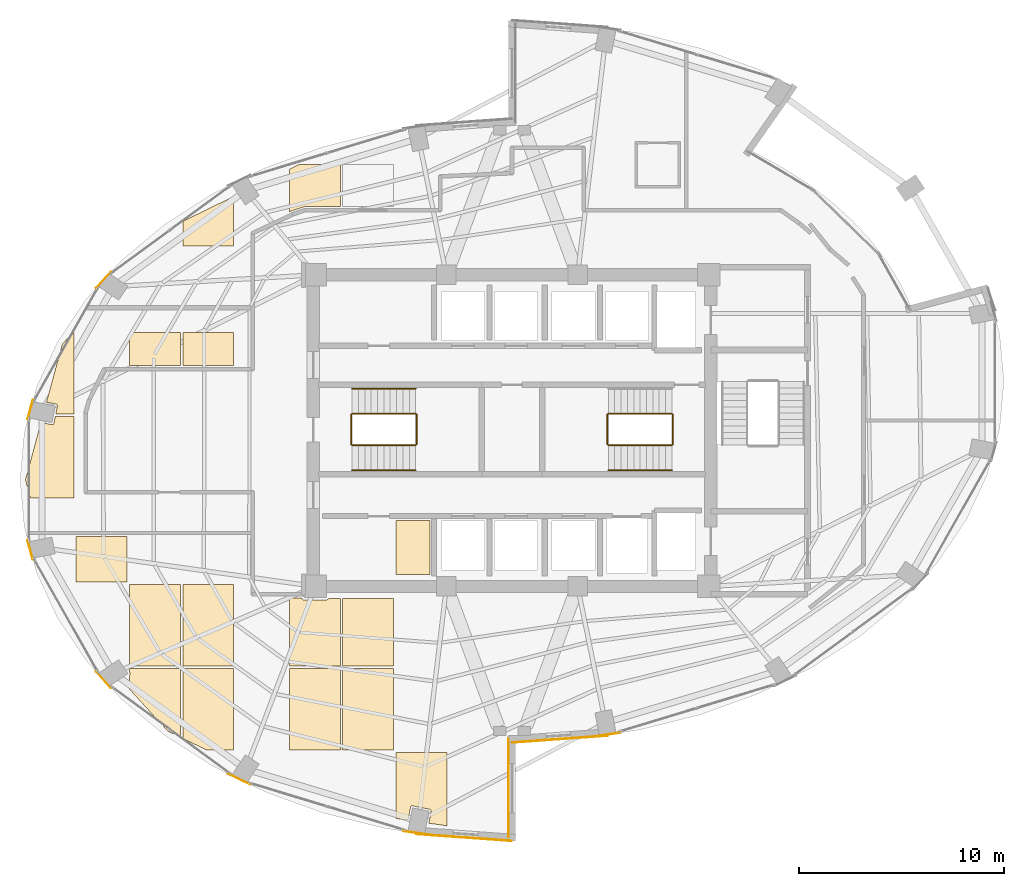
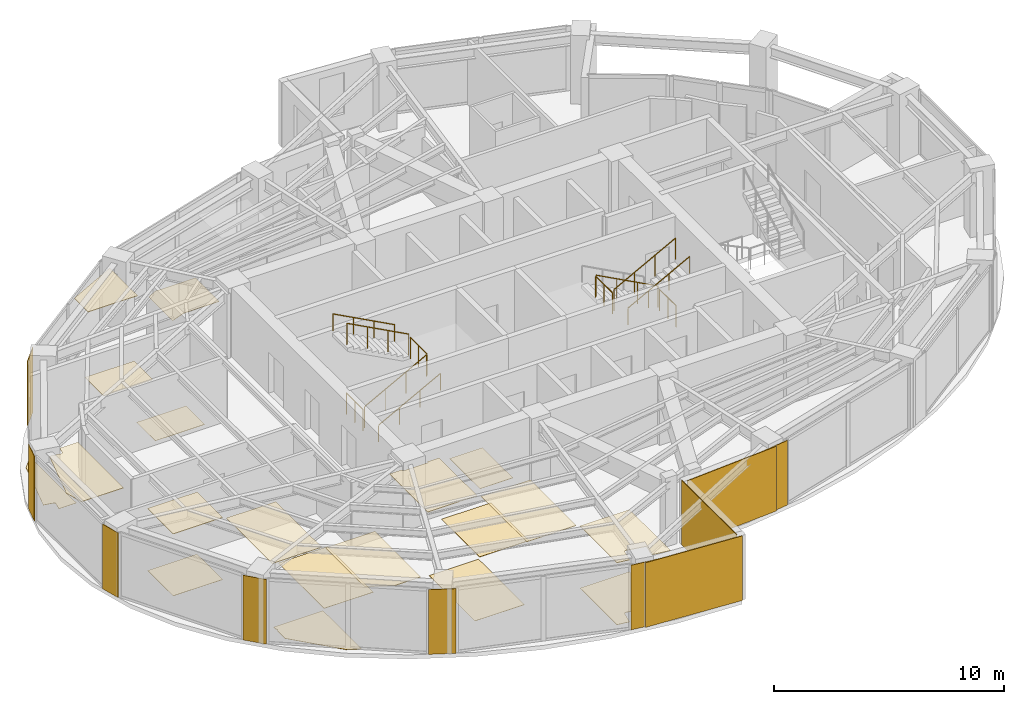
# One storey, part 18 of 19: 29 coverings, 11 railings.
"""IFC4 building model written with IfcOpenShell, lengths in metres."""

import ifcopenshell
import ifcopenshell.guid

model = None  # the IFC model being written
_history = None  # IfcOwnerHistory: only IFC2X3 demands one
_inside = {}  # id of a spatial element -> (the spatial element, [elements in it])
_under = {}  # id of a project, library or spatial element -> (it, [spatial elements below it])
_declared = {}  # id of a project -> (the project, [libraries it declares])
_typed = {}  # id of a type object -> (the type object, [elements of that type])
_made_of = {}  # id of a material, layer set ... -> (it, [elements and type objects made of it])


def new_model(schema):
    """Start an empty IFC model of exactly this schema.

    Asked for "IFC4X3", IfcOpenShell would pick the latest addendum, in which some entities
    have other attributes; the version numbers below select the first issue.
    IFC2X3 requires an IfcOwnerHistory on every rooted entity: one is made here for all.
    """
    global model, _history
    if schema == "IFC4X3":
        model = ifcopenshell.file(schema_version=(4, 3, 0, 0))
    else:
        model = ifcopenshell.file(schema=schema)
    _inside.clear()
    _under.clear()
    _declared.clear()
    _typed.clear()
    _made_of.clear()
    _history = None
    if model.schema == "IFC2X3":
        org = make("IfcOrganization", Name="unknown")
        user = make(
            "IfcPersonAndOrganization",
            ThePerson=make("IfcPerson", FamilyName="unknown"),
            TheOrganization=org,
        )
        app = make(
            "IfcApplication",
            ApplicationDeveloper=org,
            Version="unknown",
            ApplicationFullName="unknown",
            ApplicationIdentifier="unknown",
        )
        _history = make(
            "IfcOwnerHistory",
            OwningUser=user,
            OwningApplication=app,
            ChangeAction="ADDED",
            CreationDate=0,
        )
    return model


def make(cls, **values):
    """One entity of the class cls with the attributes given. An attribute that is None is left unset."""
    return model.create_entity(
        cls, **{name: value for name, value in values.items() if value is not None}
    )


def rooted(cls, **values):
    """An entity with a GlobalId (a new one), such as an element, a storey or a relation."""
    return make(cls, GlobalId=ifcopenshell.guid.new(), OwnerHistory=_history, **values)


def si_unit(unit_type, name, prefix=None):
    """IfcSIUnit, for example si_unit("LENGTHUNIT", "METRE", prefix="MILLI")."""
    return make("IfcSIUnit", UnitType=unit_type, Prefix=prefix, Name=name)


def assignment(units):
    """IfcUnitAssignment: the units of a project."""
    return None if units is None else make("IfcUnitAssignment", Units=units)


def point(xyz):
    """IfcCartesianPoint."""
    return None if xyz is None else make("IfcCartesianPoint", Coordinates=xyz)


def direction(xyz):
    """IfcDirection."""
    return None if xyz is None else make("IfcDirection", DirectionRatios=xyz)


def frame(location, z_axis=None, x_axis=None):
    """IfcAxis2Placement3D, a coordinate frame: its origin and axes. An axis left out is left unset."""
    return make(
        "IfcAxis2Placement3D",
        Location=point(location),
        Axis=direction(z_axis),
        RefDirection=direction(x_axis),
    )


def frame_2d(location, x_axis=None):
    """IfcAxis2Placement2D, a coordinate frame in the plane: its origin and x axis."""
    return make(
        "IfcAxis2Placement2D", Location=point(location), RefDirection=direction(x_axis)
    )


def origin():
    """The frame at (0, 0, 0) with its axes left unset."""
    return frame((0.0, 0.0, 0.0))


def origin_2d():
    """The frame at (0, 0) in the plane with its x axis left unset."""
    return frame_2d((0.0, 0.0))


def place(relative_to, where):
    """IfcLocalPlacement: puts the frame where relative to a parent placement (None: the world)."""
    return make(
        "IfcLocalPlacement", PlacementRelTo=relative_to, RelativePlacement=where
    )


def context(
    kind, dimensions, precision=None, world=None, true_north=None, identifier=None
):
    """IfcGeometricRepresentationContext, for example the 3D "Model" context."""
    return make(
        "IfcGeometricRepresentationContext",
        ContextIdentifier=identifier,
        ContextType=kind,
        CoordinateSpaceDimension=dimensions,
        Precision=precision,
        WorldCoordinateSystem=world,
        TrueNorth=true_north,
    )


def subcontext(parent, identifier, kind, view, scale=None):
    """IfcGeometricRepresentationSubContext, for example "Body" below "Model"."""
    return make(
        "IfcGeometricRepresentationSubContext",
        ContextIdentifier=identifier,
        ContextType=kind,
        ParentContext=parent,
        TargetScale=scale,
        TargetView=view,
    )


def project(units=None, contexts=None):
    """IfcProject with its units and contexts."""
    return rooted(
        "IfcProject",
        Name="project",
        RepresentationContexts=contexts,
        UnitsInContext=assignment(units),
    )


def spatial(cls, under=None, at=None, **own):
    """A site, building, storey or space (cls), placed at a placement, below another one or the project."""
    s = rooted(cls, ObjectPlacement=at, **own)
    if under is not None:
        _under.setdefault(under.id(), (under, []))[1].append(s)
    return s


def polyline(points):
    """IfcPolyline through the points."""
    return make("IfcPolyline", Points=[point(p) for p in points])


def profile(cls, at=None, kind="AREA", **sizes):
    """A parametric profile (cls). Its sizes go by their IFC names, for example OverallWidth=200.0."""
    return make(cls, ProfileType=kind, Position=at, **sizes)


def rectangle(**sizes):
    """IfcRectangleProfileDef."""
    return profile("IfcRectangleProfileDef", **sizes)


def circle(**sizes):
    """IfcCircleProfileDef."""
    return profile("IfcCircleProfileDef", **sizes)


def outline(outer, holes=None, kind="AREA"):
    """IfcArbitraryClosedProfileDef: a profile drawn as a closed curve; with holes, ...WithVoids."""
    if holes is None:
        return make("IfcArbitraryClosedProfileDef", ProfileType=kind, OuterCurve=outer)
    return make(
        "IfcArbitraryProfileDefWithVoids",
        ProfileType=kind,
        OuterCurve=outer,
        InnerCurves=holes,
    )


def extrude(swept, where, along, depth):
    """IfcExtrudedAreaSolid: the profile swept, set in the frame where, extruded along a direction by depth."""
    return make(
        "IfcExtrudedAreaSolid",
        SweptArea=swept,
        Position=where,
        ExtrudedDirection=direction(along),
        Depth=depth,
    )


def shape(context_of_items, identifier, shape_type, items):
    """IfcShapeRepresentation: the items that make up one representation, for example the "Body"."""
    return make(
        "IfcShapeRepresentation",
        ContextOfItems=context_of_items,
        RepresentationIdentifier=identifier,
        RepresentationType=shape_type,
        Items=items,
    )


def material(Name=None, Category=None):
    """IfcMaterial."""
    return make("IfcMaterial", Name=Name, Category=Category)


def layer(
    of_material, thickness, ventilated=None, Name=None, Category=None, Priority=None
):
    """IfcMaterialLayer: one layer of a wall or slab, of a material (None: an air gap)."""
    return make(
        "IfcMaterialLayer",
        Material=of_material,
        LayerThickness=thickness,
        IsVentilated=ventilated,
        Name=Name,
        Category=Category,
        Priority=Priority,
    )


def layer_set(layers, Name=None):
    """IfcMaterialLayerSet."""
    return make("IfcMaterialLayerSet", MaterialLayers=layers, LayerSetName=Name)


def made_of(thing, what):
    """Note that an element or type object is made of a material, layer set ...; save() writes the relation."""
    if what is not None:
        _made_of.setdefault(what.id(), (what, []))[1].append(thing)
    return thing


def type_object(cls, material=None, **own):
    """A type object (cls), such as IfcWallType, which elements share."""
    return made_of(rooted(cls, **own), material)


def element(
    cls,
    number,
    at=None,
    inside=None,
    cuts=None,
    type_object=None,
    material=None,
    context=None,
    identifier="Body",
    shape_type=None,
    held_by="IfcProductDefinitionShape",
    body=None,
    shapes=None,
    **own,
):
    """One element of the class cls, such as IfcWall. Its Tag is "e" and its number.

    at: its placement. inside: the storey or other place that contains it. cuts: it is an
    opening in that element (IfcRelVoidsElement). A single representation is given by context,
    identifier, shape_type and body (its items); several are given by shapes. held_by: the class
    of the entity that holds the representations. save() writes the other relations.
    """
    e = rooted(cls, Tag="e%d" % number, ObjectPlacement=at, **own)
    if body is not None:
        shapes = [shape(context, identifier, shape_type, body)]
    if shapes is not None:
        e.Representation = make(held_by, Representations=shapes)
    if inside is not None:
        _inside.setdefault(inside.id(), (inside, []))[1].append(e)
    if cuts is not None:
        rooted(
            "IfcRelVoidsElement", RelatingBuildingElement=cuts, RelatedOpeningElement=e
        )
    if type_object is not None:
        _typed.setdefault(type_object.id(), (type_object, []))[1].append(e)
    return made_of(e, material)


def aggregate(whole, parts):
    """IfcRelAggregates: a whole, such as a stair, and the parts it consists of."""
    return rooted("IfcRelAggregates", RelatingObject=whole, RelatedObjects=parts)


def save(model, path):
    """Write the relations noted so far, then the file.

    IfcRelAggregates (storeys below a building ...), IfcRelContainedInSpatialStructure (elements
    in a storey), IfcRelDefinesByType, IfcRelAssociatesMaterial and IfcRelDeclares: one each for
    every whole, place, type object, material and project.
    """
    for whole, parts in _under.values():
        aggregate(whole, parts)
    for where, things in _inside.values():
        rooted(
            "IfcRelContainedInSpatialStructure",
            RelatedElements=things,
            RelatingStructure=where,
        )
    for kind, things in _typed.values():
        rooted("IfcRelDefinesByType", RelatedObjects=things, RelatingType=kind)
    for what, things in _made_of.values():
        rooted("IfcRelAssociatesMaterial", RelatedObjects=things, RelatingMaterial=what)
    for by, libraries in _declared.values():
        rooted("IfcRelDeclares", RelatingContext=by, RelatedDefinitions=libraries)
    model.write(path)


model = new_model("IFC4")

# Units and contexts
model_context = context("Model", 3, precision=1e-05, world=origin(), true_north=direction((0.0, 1.0)))
body_context = subcontext(model_context, "Body", "Model", "MODEL_VIEW")
ifc_project = project(units=[si_unit("LENGTHUNIT", "METRE"), si_unit("AREAUNIT", "SQUARE_METRE"), si_unit("VOLUMEUNIT", "CUBIC_METRE"), si_unit("PLANEANGLEUNIT", "RADIAN"), si_unit("MASSUNIT", "GRAM", prefix="KILO")], contexts=[model_context])

# Site, building, storey
site_placement = place(None, origin())
site = spatial("IfcSite", under=ifc_project, at=site_placement, CompositionType="ELEMENT")
building_placement = place(site_placement, origin())
building = spatial("IfcBuilding", under=site, at=building_placement, Name="Lazwardi Medical Tower", CompositionType="ELEMENT")
storey_placement = place(building_placement, frame((0.0, 0.0, 167.471923828125)))
storey = spatial("IfcBuildingStorey", under=building, at=storey_placement, Name="L43", CompositionType="ELEMENT", Elevation=167.471923828125)

# Coverings
ifc_material_1 = material(Name="Anodised bronze aluminium cassette cladding", Category="aluminium")
ifc_layer_1 = layer(ifc_material_1, 0.030029296875)
ifc_layer_set_1 = layer_set([ifc_layer_1], Name="Anodised bronze aluminium cassette cladding")
covering_type_1 = type_object("IfcCoveringType", Name="COV-CLD-BRZ", PredefinedType="CLADDING", material=ifc_layer_set_1)
covering_1_placement = place(storey_placement, frame((40.67431640625, 13.17578125, 0.0), z_axis=(0.0, 0.0, 1.0), x_axis=(0.989539138138, 0.144264666823, 0.0)))
element("IfcCovering", 1, at=covering_1_placement, inside=storey, type_object=covering_type_1, Name="L43 Mega-column bronze cassette cover M01", PredefinedType="CLADDING", context=body_context, shape_type="SweptSolid", body=[
    extrude(rectangle(XDim=1.28515625, YDim=0.030029296875, at=origin_2d()), origin(), (0.0, 0.0, 1.0), 3.427978515625),
])
covering_2_placement = place(storey_placement, frame((16.07861328125, 35.356689453125, 0.0), z_axis=(0.0, 0.0, 1.0), x_axis=(-0.673714459537, -0.738991763832, 0.0)))
element("IfcCovering", 2, at=covering_2_placement, inside=storey, type_object=covering_type_1, Name="L43 Mega-column bronze cassette cover M11", PredefinedType="CLADDING", context=body_context, shape_type="SweptSolid", body=[
    extrude(rectangle(XDim=1.0693359375, YDim=0.030029296875, at=origin_2d()), origin(), (0.0, 0.0, 1.0), 3.427978515625),
])
for number, where, z_axis, x_axis, name in (
    (3, (12.501220703125, 29.026123046875, 0.0), (0.0, 0.0, 1.0), (-0.261828726257, -0.965114354938, 0.0), "L43 Mega-column bronze cassette cover M12"),
    (4, (12.501220703125, 22.173828125, 0.0), (0.0, 0.0, 1.0), (0.261828726257, -0.965114354938, 0.0), "L43 Mega-column bronze cassette cover M13"),
):
    element("IfcCovering", number, at=place(storey_placement, frame(where, z_axis=z_axis, x_axis=x_axis)), inside=storey, type_object=covering_type_1, Name=name, PredefinedType="CLADDING", context=body_context, shape_type="SweptSolid", body=[
        extrude(rectangle(XDim=0.9658203125, YDim=0.030029296875, at=origin_2d()), origin(), (0.0, 0.0, 1.0), 3.427978515625),
    ])
covering_3_placement = place(storey_placement, frame((16.07861328125, 15.84326171875, 0.0), z_axis=(0.0, 0.0, 1.0), x_axis=(0.673714459537, -0.738991763832, 0.0)))
element("IfcCovering", 5, at=covering_3_placement, inside=storey, type_object=covering_type_1, Name="L43 Mega-column bronze cassette cover M14", PredefinedType="CLADDING", context=body_context, shape_type="SweptSolid", body=[
    extrude(rectangle(XDim=1.0693359375, YDim=0.030029296875, at=origin_2d()), origin(), (0.0, 0.0, 1.0), 3.427978515625),
])
covering_4_placement = place(storey_placement, frame((22.68896484375, 10.998046875, 0.0), z_axis=(0.0, 0.0, 1.0), x_axis=(0.898079014814, -0.439834154144, 0.0)))
element("IfcCovering", 6, at=covering_4_placement, inside=storey, type_object=covering_type_1, Name="L43 Mega-column bronze cassette cover M15", PredefinedType="CLADDING", context=body_context, shape_type="SweptSolid", body=[
    extrude(rectangle(XDim=1.200439453125, YDim=0.030029296875, at=origin_2d()), origin(), (0.0, 0.0, 1.0), 3.427978515625),
])
covering_5_placement = place(storey_placement, frame((31.32568359375, 8.3759765625, 0.0), z_axis=(0.0, 0.0, 1.0), x_axis=(0.989539138138, -0.144264666823, 0.0)))
element("IfcCovering", 7, at=covering_5_placement, inside=storey, type_object=covering_type_1, Name="L43 Mega-column bronze cassette cover M16", PredefinedType="CLADDING", context=body_context, shape_type="SweptSolid", body=[
    extrude(rectangle(XDim=1.28515625, YDim=0.030029296875, at=origin_2d()), origin(), (0.0, 0.0, 1.0), 3.427978515625),
])
ifc_material_2 = material(Name="Turquoise glazed ceramic tilework cladding", Category="masonry")
ifc_layer_2 = layer(ifc_material_2, 0.034912109375)
ifc_layer_set_2 = layer_set([ifc_layer_2], Name="Turquoise glazed ceramic tilework cladding")
covering_type_2 = type_object("IfcCoveringType", Name="COV-CLD-TRQ", PredefinedType="CLADDING", material=ifc_layer_set_2)
covering_6_placement = place(storey_placement, frame((38.338134765625, 12.952392578125, 0.0), z_axis=(0.0, 0.0, 1.0), x_axis=(0.997414510753, 0.071863020663, 0.0)))
element("IfcCovering", 8, at=covering_6_placement, inside=storey, type_object=covering_type_2, Name="L43 Turquoise glazed ceramic tilework cladding", PredefinedType="CLADDING", context=body_context, shape_type="SweptSolid", body=[
    extrude(rectangle(XDim=4.6630859375, YDim=0.034912109375, at=origin_2d()), origin(), (0.0, 0.0, 1.0), 3.427978515625),
])
covering_7_placement = place(storey_placement, frame((33.66162109375, 8.152587890625, 0.0), z_axis=(0.0, 0.0, 1.0), x_axis=(0.997414134466, -0.071868243112, 0.0)))
element("IfcCovering", 9, at=covering_7_placement, inside=storey, type_object=covering_type_2, Name="L43 Turquoise glazed ceramic tilework cladding", PredefinedType="CLADDING", context=body_context, shape_type="SweptSolid", body=[
    extrude(rectangle(XDim=4.66259765625, YDim=0.034912109375, at=origin_2d()), origin(), (0.0, 0.0, 1.0), 3.427978515625),
])
covering_8_placement = place(storey_placement, frame((35.824462890625, 10.56005859375, 0.0), z_axis=(0.0, 0.0, 1.0), x_axis=(0.0, 1.0, 0.0)))
element("IfcCovering", 10, at=covering_8_placement, inside=storey, type_object=covering_type_2, Name="L43 Turquoise glazed ceramic tilework iwan panel", PredefinedType="CLADDING", context=body_context, shape_type="SweptSolid", body=[
    extrude(rectangle(XDim=4.800048828125, YDim=0.034912109375, at=origin_2d()), origin(), (0.0, 0.0, 1.0), 3.427978515625),
])
ifc_material_3 = material(Name="Acoustic mineral fibre tile")
ifc_layer_3 = layer(ifc_material_3, 0.02490234375)
ifc_layer_set_3 = layer_set([ifc_layer_3], Name="Acoustic mineral fibre tile")
covering_type_3 = type_object("IfcCoveringType", Name="COV-CLG-01", PredefinedType="CEILING", material=ifc_layer_set_3)
covering_9_placement = place(storey_placement, frame((0.0, 0.0, 3.282958984375)))
element("IfcCovering", 11, at=covering_9_placement, inside=storey, type_object=covering_type_3, Name="L43 Clinical Acoustic Ceiling 1", PredefinedType="CEILING", context=body_context, shape_type="SweptSolid", body=[
    extrude(outline(polyline([(13.71875, 28.6923828125), (13.65234375, 28.3583984375), (13.650390625, 28.3505859375), (13.647705078125, 28.34326171875), (13.644287109375, 28.336181640625), (13.640380859375, 28.32958984375), (13.635498046875, 28.322998046875), (13.63037109375, 28.3173828125), (13.62451171875, 28.31201171875), (13.6181640625, 28.307373046875), (13.611572265625, 28.30322265625), (13.6044921875, 28.300048828125), (13.596923828125, 28.29736328125), (13.58935546875, 28.29541015625), (13.58154296875, 28.294189453125), (13.57373046875, 28.2939453125), (13.56591796875, 28.294189453125), (13.55810546875, 28.29541015625), (13.02490234375, 28.401611328125), (12.262939453125, 25.60009765625), (12.50439453125, 24.71240234375), (14.622802734375, 24.71240234375), (14.622802734375, 28.6923828125), (13.71875, 28.6923828125)])), origin(), (0.0, 0.0, 1.0), 0.025146484375),
])
covering_10_placement = place(storey_placement, frame((0.0, 0.0, 3.282958984375)))
element("IfcCovering", 12, at=covering_10_placement, inside=storey, type_object=covering_type_3, Name="L43 Clinical Acoustic Ceiling 2", PredefinedType="CEILING", context=body_context, shape_type="SweptSolid", body=[
    extrude(outline(polyline([(17.222900390625, 22.8349609375), (14.742919921875, 22.8349609375), (14.742919921875, 20.612548828125), (17.222900390625, 20.612548828125), (17.222900390625, 22.8349609375)])), origin(), (0.0, 0.0, 1.0), 0.025146484375),
])
covering_11_placement = place(storey_placement, frame((0.0, 0.0, 3.282958984375)))
element("IfcCovering", 13, at=covering_11_placement, inside=storey, type_object=covering_type_3, Name="L43 Clinical Acoustic Ceiling 3", PredefinedType="CEILING", context=body_context, shape_type="SweptSolid", body=[
    extrude(outline(polyline([(19.822998046875, 16.512451171875), (19.822998046875, 20.492431640625), (17.343017578125, 20.492431640625), (17.343017578125, 16.512451171875), (19.822998046875, 16.512451171875)])), origin(), (0.0, 0.0, 1.0), 0.025146484375),
])
covering_12_placement = place(storey_placement, frame((0.0, 0.0, 3.282958984375)))
element("IfcCovering", 14, at=covering_12_placement, inside=storey, type_object=covering_type_3, Name="L43 Clinical Acoustic Ceiling 4", PredefinedType="CEILING", context=body_context, shape_type="SweptSolid", body=[
    extrude(outline(polyline([(17.343017578125, 31.175048828125), (19.822998046875, 31.175048828125), (19.822998046875, 32.79248046875), (17.343017578125, 32.79248046875), (17.343017578125, 31.175048828125)])), origin(), (0.0, 0.0, 1.0), 0.025146484375),
])
covering_13_placement = place(storey_placement, frame((0.0, 0.0, 3.282958984375)))
element("IfcCovering", 15, at=covering_13_placement, inside=storey, type_object=covering_type_3, Name="L43 Clinical Acoustic Ceiling 5", PredefinedType="CEILING", context=body_context, shape_type="SweptSolid", body=[
    extrude(outline(polyline([(19.94287109375, 12.987060546875), (21.118896484375, 12.41259765625), (22.4228515625, 12.41259765625), (22.4228515625, 16.392578125), (19.94287109375, 16.392578125), (19.94287109375, 12.987060546875)])), origin(), (0.0, 0.0, 1.0), 0.025146484375),
])
covering_14_placement = place(storey_placement, frame((0.0, 0.0, 3.282958984375)))
element("IfcCovering", 16, at=covering_14_placement, inside=storey, type_object=covering_type_3, Name="L43 Clinical Acoustic Ceiling 6", PredefinedType="CEILING", context=body_context, shape_type="SweptSolid", body=[
    extrude(outline(polyline([(22.4228515625, 39.4248046875), (19.94287109375, 38.212890625), (19.94287109375, 37.012451171875), (22.4228515625, 37.012451171875), (22.4228515625, 39.4248046875)])), origin(), (0.0, 0.0, 1.0), 0.025146484375),
])
covering_15_placement = place(storey_placement, frame((0.0, 0.0, 3.282958984375)))
element("IfcCovering", 17, at=covering_15_placement, inside=storey, type_object=covering_type_3, Name="L43 Clinical Acoustic Ceiling 7", PredefinedType="CEILING", context=body_context, shape_type="SweptSolid", body=[
    extrude(outline(polyline([(27.622802734375, 19.820068359375), (27.04931640625, 19.820068359375), (27.048583984375, 19.814453125), (27.046630859375, 19.806884765625), (27.0439453125, 19.79931640625), (27.04052734375, 19.792236328125), (27.03662109375, 19.78564453125), (27.03173828125, 19.779296875), (27.026611328125, 19.7734375), (27.020751953125, 19.768310546875), (27.014404296875, 19.763427734375), (27.0078125, 19.759521484375), (27.00048828125, 19.756103515625), (26.9931640625, 19.75341796875), (26.985595703125, 19.75146484375), (26.977783203125, 19.75048828125), (26.969970703125, 19.75), (25.830078125, 19.75), (25.822265625, 19.75048828125), (25.814453125, 19.75146484375), (25.806884765625, 19.75341796875), (25.79931640625, 19.756103515625), (25.792236328125, 19.759521484375), (25.78564453125, 19.763427734375), (25.779296875, 19.768310546875), (25.7734375, 19.7734375), (25.768310546875, 19.779296875), (25.763427734375, 19.78564453125), (25.759521484375, 19.792236328125), (25.756103515625, 19.79931640625), (25.75341796875, 19.806884765625), (25.75146484375, 19.814453125), (25.75048828125, 19.822265625), (25.75, 19.830078125), (25.75, 19.844970703125), (25.142822265625, 19.844970703125), (25.142822265625, 16.512451171875), (27.622802734375, 16.512451171875), (27.622802734375, 19.820068359375)])), origin(), (0.0, 0.0, 1.0), 0.025146484375),
])
covering_16_placement = place(storey_placement, frame((0.0, 0.0, 3.282958984375)))
element("IfcCovering", 18, at=covering_16_placement, inside=storey, type_object=covering_type_3, Name="L43 Clinical Acoustic Ceiling 8", PredefinedType="CEILING", context=body_context, shape_type="SweptSolid", body=[
    extrude(outline(polyline([(30.222900390625, 12.41259765625), (30.222900390625, 16.392578125), (27.742919921875, 16.392578125), (27.742919921875, 12.41259765625), (30.222900390625, 12.41259765625)])), origin(), (0.0, 0.0, 1.0), 0.025146484375),
])
covering_17_placement = place(storey_placement, frame((0.0, 0.0, 3.282958984375)))
element("IfcCovering", 19, at=covering_17_placement, inside=storey, type_object=covering_type_3, Name="L43 Clinical Acoustic Ceiling 10", PredefinedType="CEILING", context=body_context, shape_type="SweptSolid", body=[
    extrude(outline(polyline([(30.343017578125, 9.083740234375), (30.92919921875, 8.99853515625), (31.0556640625, 9.63427734375), (31.0576171875, 9.641845703125), (31.060302734375, 9.6494140625), (31.0634765625, 9.656494140625), (31.067626953125, 9.6630859375), (31.072265625, 9.66943359375), (31.077392578125, 9.67529296875), (31.083251953125, 9.680419921875), (31.089599609375, 9.685302734375), (31.096435546875, 9.689208984375), (31.103515625, 9.692626953125), (31.11083984375, 9.6953125), (31.118408203125, 9.697265625), (31.126220703125, 9.6982421875), (31.134033203125, 9.69873046875), (31.141845703125, 9.6982421875), (31.149658203125, 9.697265625), (31.9931640625, 9.529296875), (32.000732421875, 9.527587890625), (32.00830078125, 9.52490234375), (32.015380859375, 9.521484375), (32.02197265625, 9.517333984375), (32.0283203125, 9.5126953125), (32.0341796875, 9.507568359375), (32.039306640625, 9.501708984375), (32.044189453125, 9.495361328125), (32.048095703125, 9.488525390625), (32.051513671875, 9.4814453125), (32.05419921875, 9.47412109375), (32.05615234375, 9.466552734375), (32.05712890625, 9.458740234375), (32.0576171875, 9.450927734375), (32.05712890625, 9.443115234375), (32.05615234375, 9.435302734375), (31.93994140625, 8.851318359375), (32.822998046875, 8.722900390625), (32.822998046875, 12.29248046875), (30.343017578125, 12.29248046875), (30.343017578125, 9.083740234375)])), origin(), (0.0, 0.0, 1.0), 0.025146484375),
])
ifc_material_4 = material(Name="Anti-static hospital vinyl sheet flooring")
ifc_layer_4 = layer(ifc_material_4, 0.014892578125)
ifc_layer_set_4 = layer_set([ifc_layer_4], Name="Anti-static hospital vinyl sheet flooring")
covering_type_4 = type_object("IfcCoveringType", Name="COV-FLR-01", PredefinedType="FLOORING", material=ifc_layer_set_4)
covering_18_placement = place(storey_placement, origin())
element("IfcCovering", 20, at=covering_18_placement, inside=storey, type_object=covering_type_4, Name="L43 Clinical Vinyl Flooring 1", PredefinedType="FLOORING", context=body_context, shape_type="SweptSolid", body=[
    extrude(outline(polyline([(14.582275390625, 32.79248046875), (14.065185546875, 32.2265625), (13.293212890625, 29.38818359375), (13.757080078125, 29.2958984375), (13.764892578125, 29.2939453125), (13.772216796875, 29.291259765625), (13.779296875, 29.2880859375), (13.785888671875, 29.283935546875), (13.79248046875, 29.279296875), (13.798095703125, 29.27392578125), (13.803466796875, 29.268310546875), (13.80810546875, 29.26171875), (13.812255859375, 29.255126953125), (13.8154296875, 29.248046875), (13.818115234375, 29.240478515625), (13.820068359375, 29.23291015625), (13.8212890625, 29.22509765625), (13.821533203125, 29.21728515625), (13.8212890625, 29.209716796875), (13.820068359375, 29.201904296875), (13.74267578125, 28.8125), (14.622802734375, 28.8125), (14.622802734375, 32.79248046875), (14.582275390625, 32.79248046875)])), origin(), (0.0, 0.0, 1.0), 0.01513671875),
])
covering_19_placement = place(storey_placement, origin())
element("IfcCovering", 21, at=covering_19_placement, inside=storey, type_object=covering_type_4, Name="L43 Clinical Vinyl Flooring 2", PredefinedType="FLOORING", context=body_context, shape_type="SweptSolid", body=[
    extrude(outline(polyline([(17.222900390625, 22.8349609375), (14.742919921875, 22.8349609375), (14.742919921875, 20.612548828125), (17.222900390625, 20.612548828125), (17.222900390625, 22.8349609375)])), origin(), (0.0, 0.0, 1.0), 0.01513671875),
])
covering_20_placement = place(storey_placement, origin())
element("IfcCovering", 22, at=covering_20_placement, inside=storey, type_object=covering_type_4, Name="L43 Clinical Vinyl Flooring 3", PredefinedType="FLOORING", context=body_context, shape_type="SweptSolid", body=[
    extrude(outline(polyline([(17.343017578125, 16.218994140625), (17.364501953125, 16.1865234375), (17.36865234375, 16.179931640625), (17.371826171875, 16.1728515625), (17.37451171875, 16.165283203125), (17.37646484375, 16.15771484375), (17.377685546875, 16.14990234375), (17.3779296875, 16.14208984375), (17.377685546875, 16.134521484375), (17.37646484375, 16.126708984375), (17.37451171875, 16.118896484375), (17.371826171875, 16.111572265625), (17.36865234375, 16.1044921875), (17.364501953125, 16.097900390625), (17.35986328125, 16.091552734375), (17.3544921875, 16.085693359375), (17.348876953125, 16.080322265625), (17.343017578125, 16.075927734375), (17.343017578125, 15.385986328125), (19.20556640625, 13.347412109375), (19.822998046875, 13.045654296875), (19.822998046875, 16.392578125), (17.343017578125, 16.392578125), (17.343017578125, 16.218994140625)])), origin(), (0.0, 0.0, 1.0), 0.01513671875),
])
covering_21_placement = place(storey_placement, origin())
element("IfcCovering", 23, at=covering_21_placement, inside=storey, type_object=covering_type_4, Name="L43 Clinical Vinyl Flooring 4", PredefinedType="FLOORING", context=body_context, shape_type="SweptSolid", body=[
    extrude(outline(polyline([(22.4228515625, 16.512451171875), (22.4228515625, 20.492431640625), (19.94287109375, 20.492431640625), (19.94287109375, 16.512451171875), (22.4228515625, 16.512451171875)])), origin(), (0.0, 0.0, 1.0), 0.01513671875),
])
covering_22_placement = place(storey_placement, origin())
element("IfcCovering", 24, at=covering_22_placement, inside=storey, type_object=covering_type_4, Name="L43 Clinical Vinyl Flooring 5", PredefinedType="FLOORING", context=body_context, shape_type="SweptSolid", body=[
    extrude(outline(polyline([(19.94287109375, 31.175048828125), (22.4228515625, 31.175048828125), (22.4228515625, 32.79248046875), (19.94287109375, 32.79248046875), (19.94287109375, 31.175048828125)])), origin(), (0.0, 0.0, 1.0), 0.01513671875),
])
covering_23_placement = place(storey_placement, origin())
element("IfcCovering", 25, at=covering_23_placement, inside=storey, type_object=covering_type_4, Name="L43 Clinical Vinyl Flooring 6", PredefinedType="FLOORING", context=body_context, shape_type="SweptSolid", body=[
    extrude(outline(polyline([(27.622802734375, 12.41259765625), (27.622802734375, 16.392578125), (25.142822265625, 16.392578125), (25.142822265625, 12.41259765625), (27.622802734375, 12.41259765625)])), origin(), (0.0, 0.0, 1.0), 0.01513671875),
])
covering_24_placement = place(storey_placement, origin())
element("IfcCovering", 26, at=covering_24_placement, inside=storey, type_object=covering_type_4, Name="L43 Clinical Vinyl Flooring 7", PredefinedType="FLOORING", context=body_context, shape_type="SweptSolid", body=[
    extrude(outline(polyline([(25.631103515625, 40.992431640625), (25.142822265625, 40.75390625), (25.142822265625, 38.666015625), (25.245849609375, 38.714111328125), (25.24951171875, 38.7158203125), (25.2587890625, 38.719482421875), (25.262939453125, 38.72119140625), (25.825439453125, 38.915283203125), (25.82958984375, 38.916748046875), (25.83984375, 38.919677734375), (25.848876953125, 38.921630859375), (25.859130859375, 38.92333984375), (25.867431640625, 38.92431640625), (25.8779296875, 38.9248046875), (25.882568359375, 38.925048828125), (27.622802734375, 38.925048828125), (27.622802734375, 40.992431640625), (25.631103515625, 40.992431640625)])), origin(), (0.0, 0.0, 1.0), 0.01513671875),
])
covering_25_placement = place(storey_placement, origin())
element("IfcCovering", 27, at=covering_25_placement, inside=storey, type_object=covering_type_4, Name="L43 Clinical Vinyl Flooring 8", PredefinedType="FLOORING", context=body_context, shape_type="SweptSolid", body=[
    extrude(outline(polyline([(30.222900390625, 19.820068359375), (27.742919921875, 19.820068359375), (27.742919921875, 16.512451171875), (30.222900390625, 16.512451171875), (30.222900390625, 19.820068359375)])), origin(), (0.0, 0.0, 1.0), 0.01513671875),
])
covering_26_placement = place(storey_placement, origin())
element("IfcCovering", 28, at=covering_26_placement, inside=storey, type_object=covering_type_4, Name="L43 Clinical Vinyl Flooring 9", PredefinedType="FLOORING", context=body_context, shape_type="SweptSolid", body=[
    extrude(outline(polyline([(30.343017578125, 9.083740234375), (30.92919921875, 8.99853515625), (31.0556640625, 9.63427734375), (31.0576171875, 9.641845703125), (31.060302734375, 9.6494140625), (31.0634765625, 9.656494140625), (31.067626953125, 9.6630859375), (31.072265625, 9.66943359375), (31.077392578125, 9.67529296875), (31.083251953125, 9.680419921875), (31.089599609375, 9.685302734375), (31.096435546875, 9.689208984375), (31.103515625, 9.692626953125), (31.11083984375, 9.6953125), (31.118408203125, 9.697265625), (31.126220703125, 9.6982421875), (31.134033203125, 9.69873046875), (31.141845703125, 9.6982421875), (31.149658203125, 9.697265625), (31.9931640625, 9.529296875), (32.000732421875, 9.527587890625), (32.00830078125, 9.52490234375), (32.015380859375, 9.521484375), (32.02197265625, 9.517333984375), (32.0283203125, 9.5126953125), (32.0341796875, 9.507568359375), (32.039306640625, 9.501708984375), (32.044189453125, 9.495361328125), (32.048095703125, 9.488525390625), (32.051513671875, 9.4814453125), (32.05419921875, 9.47412109375), (32.05615234375, 9.466552734375), (32.05712890625, 9.458740234375), (32.0576171875, 9.450927734375), (32.05712890625, 9.443115234375), (32.05615234375, 9.435302734375), (31.93994140625, 8.851318359375), (32.822998046875, 8.722900390625), (32.822998046875, 12.29248046875), (30.343017578125, 12.29248046875), (30.343017578125, 9.083740234375)])), origin(), (0.0, 0.0, 1.0), 0.01513671875),
])
covering_27_placement = place(storey_placement, origin())
element("IfcCovering", 29, at=covering_27_placement, inside=storey, type_object=covering_type_4, Name="L43 Clinical Vinyl Flooring 10", PredefinedType="FLOORING", context=body_context, shape_type="SweptSolid", body=[
    extrude(outline(polyline([(30.343017578125, 20.97998046875), (31.989990234375, 20.97998046875), (31.989990234375, 23.6201171875), (30.343017578125, 23.6201171875), (30.343017578125, 20.97998046875)])), origin(), (0.0, 0.0, 1.0), 0.01513671875),
])

# Railings
ifc_material_5 = material(Name="Stainless steel Grade 316", Category="steel")
railing_type_1 = type_object("IfcRailingType", Name="RLG-GRD-1150", PredefinedType="GUARDRAIL", material=ifc_material_5)
railing_1_placement = place(storey_placement, frame((28.199951171875, 27.2900390625, 0.166015625)))
element("IfcRailing", 30, at=railing_1_placement, inside=storey, type_object=railing_type_1, Name="L43 ST1 stair guard 1", PredefinedType="GUARDRAIL", context=body_context, shape_type="SweptSolid", body=[
    extrude(circle(Radius=0.02392578125, at=origin_2d()), frame((0.0, 0.0, 1.1259765625), z_axis=(0.881812178953, 0.0, 0.471600764472), x_axis=(0.0, 1.0, 0.0)), (0.0, 0.0, 1.0), 3.515625),
    extrude(circle(Radius=0.02099609375, at=origin_2d()), origin(), (0.0, 0.0, 1.0), 1.099853515625),
    extrude(circle(Radius=0.02099609375, at=origin_2d()), frame((1.033447265625, 0.0, 0.552734375)), (0.0, 0.0, 1.0), 1.099853515625),
    extrude(circle(Radius=0.02099609375, at=origin_2d()), frame((2.066650390625, 0.0, 1.105224609375)), (0.0, 0.0, 1.0), 1.099853515625),
    extrude(circle(Radius=0.02099609375, at=origin_2d()), frame((3.10009765625, 0.0, 1.657958984375)), (0.0, 0.0, 1.0), 1.099853515625),
])
railing_2_placement = place(storey_placement, frame((31.35009765625, 27.340087890625, 1.823974609375)))
element("IfcRailing", 31, at=railing_2_placement, inside=storey, type_object=railing_type_1, Name="L43 ST1 stair guard 2", PredefinedType="GUARDRAIL", context=body_context, shape_type="SweptSolid", body=[
    extrude(circle(Radius=0.02392578125, at=origin_2d()), frame((0.0, 0.0, 1.1259765625), z_axis=(0.0, 1.0, 0.0), x_axis=(-1.0, 0.0, 0.0)), (0.0, 0.0, 1.0), 1.43994140625),
    extrude(circle(Radius=0.02099609375, at=origin_2d()), origin(), (0.0, 0.0, 1.0), 1.099853515625),
    extrude(circle(Radius=0.02099609375, at=origin_2d()), frame((0.0, 0.719970703125, 0.0)), (0.0, 0.0, 1.0), 1.099853515625),
    extrude(circle(Radius=0.02099609375, at=origin_2d()), frame((0.0, 1.43994140625, 0.0)), (0.0, 0.0, 1.0), 1.099853515625),
])
railing_3_placement = place(storey_placement, frame((31.300048828125, 28.830078125, 1.989990234375)))
element("IfcRailing", 32, at=railing_3_placement, inside=storey, type_object=railing_type_1, Name="L43 ST1 stair guard 3", PredefinedType="GUARDRAIL", context=body_context, shape_type="SweptSolid", body=[
    extrude(circle(Radius=0.02392578125, at=origin_2d()), frame((0.0, 0.0, 1.1259765625), z_axis=(-0.881783298633, 0.0, 0.471654761719), x_axis=(0.0, -1.0, 0.0)), (0.0, 0.0, 1.0), 3.515625),
    extrude(circle(Radius=0.02099609375, at=origin_2d()), origin(), (0.0, 0.0, 1.0), 1.099853515625),
    extrude(circle(Radius=0.02099609375, at=origin_2d()), frame((-1.033447265625, 0.0, 0.552734375)), (0.0, 0.0, 1.0), 1.099853515625),
    extrude(circle(Radius=0.02099609375, at=origin_2d()), frame((-2.066650390625, 0.0, 1.10546875)), (0.0, 0.0, 1.0), 1.099853515625),
    extrude(circle(Radius=0.02099609375, at=origin_2d()), frame((-3.10009765625, 0.0, 1.658203125)), (0.0, 0.0, 1.0), 1.099853515625),
])
railing_4_placement = place(storey_placement, frame((28.14990234375, 27.340087890625, 0.0)))
element("IfcRailing", 33, at=railing_4_placement, inside=storey, type_object=railing_type_1, Name="L43 ST1 stair guard 4", PredefinedType="GUARDRAIL", context=body_context, shape_type="SweptSolid", body=[
    extrude(circle(Radius=0.02392578125, at=origin_2d()), frame((0.0, 0.0, 1.1259765625), z_axis=(0.0, 1.0, 0.0), x_axis=(-1.0, 0.0, 0.0)), (0.0, 0.0, 1.0), 1.43994140625),
    extrude(circle(Radius=0.02099609375, at=origin_2d()), origin(), (0.0, 0.0, 1.0), 1.099853515625),
    extrude(circle(Radius=0.02099609375, at=origin_2d()), frame((0.0, 0.719970703125, 0.0)), (0.0, 0.0, 1.0), 1.099853515625),
    extrude(circle(Radius=0.02099609375, at=origin_2d()), frame((0.0, 1.43994140625, 0.0)), (0.0, 0.0, 1.0), 1.099853515625),
])
railing_5_placement = place(storey_placement, frame((43.800048828125, 28.830078125, 0.166015625)))
element("IfcRailing", 34, at=railing_5_placement, inside=storey, type_object=railing_type_1, Name="L43 ST2 stair guard 1", PredefinedType="GUARDRAIL", context=body_context, shape_type="SweptSolid", body=[
    extrude(circle(Radius=0.02392578125, at=origin_2d()), frame((0.0, 0.0, 1.1259765625), z_axis=(-0.881812178953, 0.0, 0.471600764472), x_axis=(0.0, -1.0, 0.0)), (0.0, 0.0, 1.0), 3.515625),
    extrude(circle(Radius=0.02099609375, at=origin_2d()), origin(), (0.0, 0.0, 1.0), 1.099853515625),
    extrude(circle(Radius=0.02099609375, at=origin_2d()), frame((-1.033447265625, 0.0, 0.552734375)), (0.0, 0.0, 1.0), 1.099853515625),
    extrude(circle(Radius=0.02099609375, at=origin_2d()), frame((-2.066650390625, 0.0, 1.105224609375)), (0.0, 0.0, 1.0), 1.099853515625),
    extrude(circle(Radius=0.02099609375, at=origin_2d()), frame((-3.10009765625, 0.0, 1.657958984375)), (0.0, 0.0, 1.0), 1.099853515625),
])
railing_6_placement = place(storey_placement, frame((40.64990234375, 28.780029296875, 1.823974609375)))
element("IfcRailing", 35, at=railing_6_placement, inside=storey, type_object=railing_type_1, Name="L43 ST2 stair guard 2", PredefinedType="GUARDRAIL", context=body_context, shape_type="SweptSolid", body=[
    extrude(circle(Radius=0.02392578125, at=origin_2d()), frame((0.0, 0.0, 1.1259765625), z_axis=(0.0, -1.0, 0.0), x_axis=(1.0, 0.0, 0.0)), (0.0, 0.0, 1.0), 1.43994140625),
    extrude(circle(Radius=0.02099609375, at=origin_2d()), origin(), (0.0, 0.0, 1.0), 1.099853515625),
    extrude(circle(Radius=0.02099609375, at=origin_2d()), frame((0.0, -0.719970703125, 0.0)), (0.0, 0.0, 1.0), 1.099853515625),
    extrude(circle(Radius=0.02099609375, at=origin_2d()), frame((0.0, -1.43994140625, 0.0)), (0.0, 0.0, 1.0), 1.099853515625),
])
railing_7_placement = place(storey_placement, frame((40.699951171875, 27.2900390625, 1.989990234375)))
element("IfcRailing", 36, at=railing_7_placement, inside=storey, type_object=railing_type_1, Name="L43 ST2 stair guard 3", PredefinedType="GUARDRAIL", context=body_context, shape_type="SweptSolid", body=[
    extrude(circle(Radius=0.02392578125, at=origin_2d()), frame((0.0, 0.0, 1.1259765625), z_axis=(0.881783298633, 0.0, 0.471654761719), x_axis=(0.0, 1.0, 0.0)), (0.0, 0.0, 1.0), 3.515625),
    extrude(circle(Radius=0.02099609375, at=origin_2d()), origin(), (0.0, 0.0, 1.0), 1.099853515625),
    extrude(circle(Radius=0.02099609375, at=origin_2d()), frame((1.033447265625, 0.0, 0.552734375)), (0.0, 0.0, 1.0), 1.099853515625),
    extrude(circle(Radius=0.02099609375, at=origin_2d()), frame((2.066650390625, 0.0, 1.10546875)), (0.0, 0.0, 1.0), 1.099853515625),
    extrude(circle(Radius=0.02099609375, at=origin_2d()), frame((3.10009765625, 0.0, 1.658203125)), (0.0, 0.0, 1.0), 1.099853515625),
])
railing_8_placement = place(storey_placement, frame((43.85009765625, 28.780029296875, 0.0)))
element("IfcRailing", 37, at=railing_8_placement, inside=storey, type_object=railing_type_1, Name="L43 ST2 stair guard 4", PredefinedType="GUARDRAIL", context=body_context, shape_type="SweptSolid", body=[
    extrude(circle(Radius=0.02392578125, at=origin_2d()), frame((0.0, 0.0, 1.1259765625), z_axis=(0.0, -1.0, 0.0), x_axis=(1.0, 0.0, 0.0)), (0.0, 0.0, 1.0), 1.43994140625),
    extrude(circle(Radius=0.02099609375, at=origin_2d()), origin(), (0.0, 0.0, 1.0), 1.099853515625),
    extrude(circle(Radius=0.02099609375, at=origin_2d()), frame((0.0, -0.719970703125, 0.0)), (0.0, 0.0, 1.0), 1.099853515625),
    extrude(circle(Radius=0.02099609375, at=origin_2d()), frame((0.0, -1.43994140625, 0.0)), (0.0, 0.0, 1.0), 1.099853515625),
])
railing_type_2 = type_object("IfcRailingType", Name="RLG-HND-920", PredefinedType="HANDRAIL", material=ifc_material_5)
railing_9_placement = place(storey_placement, frame((28.199951171875, 26.070068359375, 0.166015625)))
element("IfcRailing", 38, at=railing_9_placement, inside=storey, type_object=railing_type_2, Name="L43 ST1 stair handrail 1", PredefinedType="HANDRAIL", context=body_context, shape_type="SweptSolid", body=[
    extrude(circle(Radius=0.02392578125, at=origin_2d()), frame((0.0, 0.0, 0.8857421875), z_axis=(0.881812178953, 0.0, 0.471600764472), x_axis=(0.0, 1.0, 0.0)), (0.0, 0.0, 1.0), 3.515625),
    extrude(circle(Radius=0.02099609375, at=origin_2d()), origin(), (0.0, 0.0, 1.0), 0.85986328125),
    extrude(circle(Radius=0.02099609375, at=origin_2d()), frame((1.033447265625, 0.0, 0.552734375)), (0.0, 0.0, 1.0), 0.85986328125),
    extrude(circle(Radius=0.02099609375, at=origin_2d()), frame((2.066650390625, 0.0, 1.105224609375)), (0.0, 0.0, 1.0), 0.85986328125),
    extrude(circle(Radius=0.02099609375, at=origin_2d()), frame((3.10009765625, 0.0, 1.657958984375)), (0.0, 0.0, 1.0), 0.85986328125),
])
railing_10_placement = place(storey_placement, frame((31.300048828125, 30.050048828125, 1.989990234375)))
element("IfcRailing", 39, at=railing_10_placement, inside=storey, type_object=railing_type_2, Name="L43 ST1 stair handrail 2", PredefinedType="HANDRAIL", context=body_context, shape_type="SweptSolid", body=[
    extrude(circle(Radius=0.02392578125, at=origin_2d()), frame((0.0, 0.0, 0.8857421875), z_axis=(-0.881783298633, 0.0, 0.471654761719), x_axis=(0.0, -1.0, 0.0)), (0.0, 0.0, 1.0), 3.515625),
    extrude(circle(Radius=0.02099609375, at=origin_2d()), origin(), (0.0, 0.0, 1.0), 0.85986328125),
    extrude(circle(Radius=0.02099609375, at=origin_2d()), frame((-1.033447265625, 0.0, 0.552734375)), (0.0, 0.0, 1.0), 0.85986328125),
    extrude(circle(Radius=0.02099609375, at=origin_2d()), frame((-2.066650390625, 0.0, 1.10546875)), (0.0, 0.0, 1.0), 0.85986328125),
    extrude(circle(Radius=0.02099609375, at=origin_2d()), frame((-3.10009765625, 0.0, 1.658203125)), (0.0, 0.0, 1.0), 0.85986328125),
])
railing_11_placement = place(storey_placement, frame((40.699951171875, 26.070068359375, 1.989990234375)))
element("IfcRailing", 40, at=railing_11_placement, inside=storey, type_object=railing_type_2, Name="L43 ST2 stair handrail 2", PredefinedType="HANDRAIL", context=body_context, shape_type="SweptSolid", body=[
    extrude(circle(Radius=0.02392578125, at=origin_2d()), frame((0.0, 0.0, 0.8857421875), z_axis=(0.881783298633, 0.0, 0.471654761719), x_axis=(0.0, 1.0, 0.0)), (0.0, 0.0, 1.0), 3.515625),
    extrude(circle(Radius=0.02099609375, at=origin_2d()), origin(), (0.0, 0.0, 1.0), 0.85986328125),
    extrude(circle(Radius=0.02099609375, at=origin_2d()), frame((1.033447265625, 0.0, 0.552734375)), (0.0, 0.0, 1.0), 0.85986328125),
    extrude(circle(Radius=0.02099609375, at=origin_2d()), frame((2.066650390625, 0.0, 1.10546875)), (0.0, 0.0, 1.0), 0.85986328125),
    extrude(circle(Radius=0.02099609375, at=origin_2d()), frame((3.10009765625, 0.0, 1.658203125)), (0.0, 0.0, 1.0), 0.85986328125),
])

save(model, "model.ifc")
